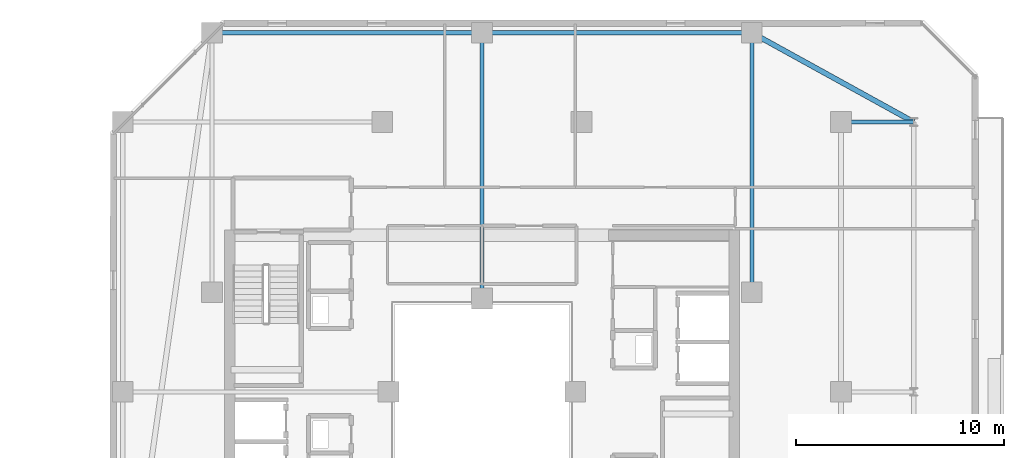
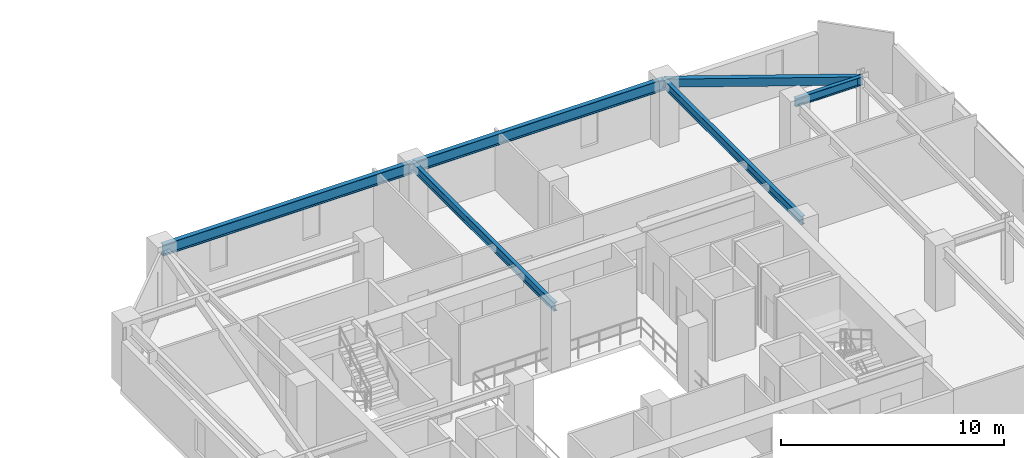
# One storey, part 15 of 32: 6 beams.
"""IFC4 building model written with IfcOpenShell, lengths in metres."""

import ifcopenshell
import ifcopenshell.guid

model = None  # the IFC model being written
_history = None  # IfcOwnerHistory: only IFC2X3 demands one
_inside = {}  # id of a spatial element -> (the spatial element, [elements in it])
_under = {}  # id of a project, library or spatial element -> (it, [spatial elements below it])
_declared = {}  # id of a project -> (the project, [libraries it declares])
_typed = {}  # id of a type object -> (the type object, [elements of that type])
_made_of = {}  # id of a material, layer set ... -> (it, [elements and type objects made of it])


def new_model(schema):
    """Start an empty IFC model of exactly this schema.

    Asked for "IFC4X3", IfcOpenShell would pick the latest addendum, in which some entities
    have other attributes; the version numbers below select the first issue.
    IFC2X3 requires an IfcOwnerHistory on every rooted entity: one is made here for all.
    """
    global model, _history
    if schema == "IFC4X3":
        model = ifcopenshell.file(schema_version=(4, 3, 0, 0))
    else:
        model = ifcopenshell.file(schema=schema)
    _inside.clear()
    _under.clear()
    _declared.clear()
    _typed.clear()
    _made_of.clear()
    _history = None
    if model.schema == "IFC2X3":
        org = make("IfcOrganization", Name="unknown")
        user = make(
            "IfcPersonAndOrganization",
            ThePerson=make("IfcPerson", FamilyName="unknown"),
            TheOrganization=org,
        )
        app = make(
            "IfcApplication",
            ApplicationDeveloper=org,
            Version="unknown",
            ApplicationFullName="unknown",
            ApplicationIdentifier="unknown",
        )
        _history = make(
            "IfcOwnerHistory",
            OwningUser=user,
            OwningApplication=app,
            ChangeAction="ADDED",
            CreationDate=0,
        )
    return model


def make(cls, **values):
    """One entity of the class cls with the attributes given. An attribute that is None is left unset."""
    return model.create_entity(
        cls, **{name: value for name, value in values.items() if value is not None}
    )


def rooted(cls, **values):
    """An entity with a GlobalId (a new one), such as an element, a storey or a relation."""
    return make(cls, GlobalId=ifcopenshell.guid.new(), OwnerHistory=_history, **values)


def si_unit(unit_type, name, prefix=None):
    """IfcSIUnit, for example si_unit("LENGTHUNIT", "METRE", prefix="MILLI")."""
    return make("IfcSIUnit", UnitType=unit_type, Prefix=prefix, Name=name)


def assignment(units):
    """IfcUnitAssignment: the units of a project."""
    return None if units is None else make("IfcUnitAssignment", Units=units)


def point(xyz):
    """IfcCartesianPoint."""
    return None if xyz is None else make("IfcCartesianPoint", Coordinates=xyz)


def direction(xyz):
    """IfcDirection."""
    return None if xyz is None else make("IfcDirection", DirectionRatios=xyz)


def frame(location, z_axis=None, x_axis=None):
    """IfcAxis2Placement3D, a coordinate frame: its origin and axes. An axis left out is left unset."""
    return make(
        "IfcAxis2Placement3D",
        Location=point(location),
        Axis=direction(z_axis),
        RefDirection=direction(x_axis),
    )


def frame_2d(location, x_axis=None):
    """IfcAxis2Placement2D, a coordinate frame in the plane: its origin and x axis."""
    return make(
        "IfcAxis2Placement2D", Location=point(location), RefDirection=direction(x_axis)
    )


def origin():
    """The frame at (0, 0, 0) with its axes left unset."""
    return frame((0.0, 0.0, 0.0))


def origin_2d():
    """The frame at (0, 0) in the plane with its x axis left unset."""
    return frame_2d((0.0, 0.0))


def place(relative_to, where):
    """IfcLocalPlacement: puts the frame where relative to a parent placement (None: the world)."""
    return make(
        "IfcLocalPlacement", PlacementRelTo=relative_to, RelativePlacement=where
    )


def context(
    kind, dimensions, precision=None, world=None, true_north=None, identifier=None
):
    """IfcGeometricRepresentationContext, for example the 3D "Model" context."""
    return make(
        "IfcGeometricRepresentationContext",
        ContextIdentifier=identifier,
        ContextType=kind,
        CoordinateSpaceDimension=dimensions,
        Precision=precision,
        WorldCoordinateSystem=world,
        TrueNorth=true_north,
    )


def subcontext(parent, identifier, kind, view, scale=None):
    """IfcGeometricRepresentationSubContext, for example "Body" below "Model"."""
    return make(
        "IfcGeometricRepresentationSubContext",
        ContextIdentifier=identifier,
        ContextType=kind,
        ParentContext=parent,
        TargetScale=scale,
        TargetView=view,
    )


def project(units=None, contexts=None):
    """IfcProject with its units and contexts."""
    return rooted(
        "IfcProject",
        Name="project",
        RepresentationContexts=contexts,
        UnitsInContext=assignment(units),
    )


def spatial(cls, under=None, at=None, **own):
    """A site, building, storey or space (cls), placed at a placement, below another one or the project."""
    s = rooted(cls, ObjectPlacement=at, **own)
    if under is not None:
        _under.setdefault(under.id(), (under, []))[1].append(s)
    return s


def profile(cls, at=None, kind="AREA", **sizes):
    """A parametric profile (cls). Its sizes go by their IFC names, for example OverallWidth=200.0."""
    return make(cls, ProfileType=kind, Position=at, **sizes)


def hollow_rectangle(**sizes):
    """IfcRectangleHollowProfileDef."""
    return profile("IfcRectangleHollowProfileDef", **sizes)


def i_section(**sizes):
    """IfcIShapeProfileDef."""
    return profile("IfcIShapeProfileDef", **sizes)


def extrude(swept, where, along, depth):
    """IfcExtrudedAreaSolid: the profile swept, set in the frame where, extruded along a direction by depth."""
    return make(
        "IfcExtrudedAreaSolid",
        SweptArea=swept,
        Position=where,
        ExtrudedDirection=direction(along),
        Depth=depth,
    )


def shape(context_of_items, identifier, shape_type, items):
    """IfcShapeRepresentation: the items that make up one representation, for example the "Body"."""
    return make(
        "IfcShapeRepresentation",
        ContextOfItems=context_of_items,
        RepresentationIdentifier=identifier,
        RepresentationType=shape_type,
        Items=items,
    )


def material(Name=None, Category=None):
    """IfcMaterial."""
    return make("IfcMaterial", Name=Name, Category=Category)


def material_profile(
    of_material, cross_section, Name=None, Category=None, Priority=None
):
    """IfcMaterialProfile: a cross section and its material."""
    return make(
        "IfcMaterialProfile",
        Name=Name,
        Material=of_material,
        Profile=cross_section,
        Priority=Priority,
        Category=Category,
    )


def profile_set(profiles, Name=None, composite=None):
    """IfcMaterialProfileSet."""
    return make(
        "IfcMaterialProfileSet",
        Name=Name,
        MaterialProfiles=profiles,
        CompositeProfile=composite,
    )


def made_of(thing, what):
    """Note that an element or type object is made of a material, layer set ...; save() writes the relation."""
    if what is not None:
        _made_of.setdefault(what.id(), (what, []))[1].append(thing)
    return thing


def type_object(cls, material=None, **own):
    """A type object (cls), such as IfcWallType, which elements share."""
    return made_of(rooted(cls, **own), material)


def element(
    cls,
    number,
    at=None,
    inside=None,
    cuts=None,
    type_object=None,
    material=None,
    context=None,
    identifier="Body",
    shape_type=None,
    held_by="IfcProductDefinitionShape",
    body=None,
    shapes=None,
    **own,
):
    """One element of the class cls, such as IfcWall. Its Tag is "e" and its number.

    at: its placement. inside: the storey or other place that contains it. cuts: it is an
    opening in that element (IfcRelVoidsElement). A single representation is given by context,
    identifier, shape_type and body (its items); several are given by shapes. held_by: the class
    of the entity that holds the representations. save() writes the other relations.
    """
    e = rooted(cls, Tag="e%d" % number, ObjectPlacement=at, **own)
    if body is not None:
        shapes = [shape(context, identifier, shape_type, body)]
    if shapes is not None:
        e.Representation = make(held_by, Representations=shapes)
    if inside is not None:
        _inside.setdefault(inside.id(), (inside, []))[1].append(e)
    if cuts is not None:
        rooted(
            "IfcRelVoidsElement", RelatingBuildingElement=cuts, RelatedOpeningElement=e
        )
    if type_object is not None:
        _typed.setdefault(type_object.id(), (type_object, []))[1].append(e)
    return made_of(e, material)


def aggregate(whole, parts):
    """IfcRelAggregates: a whole, such as a stair, and the parts it consists of."""
    return rooted("IfcRelAggregates", RelatingObject=whole, RelatedObjects=parts)


def save(model, path):
    """Write the relations noted so far, then the file.

    IfcRelAggregates (storeys below a building ...), IfcRelContainedInSpatialStructure (elements
    in a storey), IfcRelDefinesByType, IfcRelAssociatesMaterial and IfcRelDeclares: one each for
    every whole, place, type object, material and project.
    """
    for whole, parts in _under.values():
        aggregate(whole, parts)
    for where, things in _inside.values():
        rooted(
            "IfcRelContainedInSpatialStructure",
            RelatedElements=things,
            RelatingStructure=where,
        )
    for kind, things in _typed.values():
        rooted("IfcRelDefinesByType", RelatedObjects=things, RelatingType=kind)
    for what, things in _made_of.values():
        rooted("IfcRelAssociatesMaterial", RelatedObjects=things, RelatingMaterial=what)
    for by, libraries in _declared.values():
        rooted("IfcRelDeclares", RelatingContext=by, RelatedDefinitions=libraries)
    model.write(path)


model = new_model("IFC4")

# Units and contexts
model_context = context("Model", 3, precision=1e-05, world=origin(), true_north=direction((0.0, 1.0)))
body_context = subcontext(model_context, "Body", "Model", "MODEL_VIEW")
ifc_project = project(units=[si_unit("LENGTHUNIT", "METRE"), si_unit("AREAUNIT", "SQUARE_METRE"), si_unit("VOLUMEUNIT", "CUBIC_METRE"), si_unit("PLANEANGLEUNIT", "RADIAN"), si_unit("MASSUNIT", "GRAM", prefix="KILO")], contexts=[model_context])

# Site, building, storey
site_placement = place(None, origin())
site = spatial("IfcSite", under=ifc_project, at=site_placement, CompositionType="ELEMENT")
building_placement = place(site_placement, origin())
building = spatial("IfcBuilding", under=site, at=building_placement, Name="Thornwick Lancets Civic Towers", CompositionType="ELEMENT")
storey_placement = place(building_placement, frame((0.0, 0.0, 240.300048828125)))
storey = spatial("IfcBuildingStorey", under=building, at=storey_placement, Name="L64", CompositionType="ELEMENT", Elevation=240.300048828125)

# Beams
ifc_material = material(Name="Steel S355JR", Category="steel")
ifc_material_profile_1 = material_profile(ifc_material, i_section(OverallWidth=0.230224609375, OverallDepth=0.6171875, WebThickness=0.01318359375, FlangeThickness=0.022216796875, FilletRadius=0.0126953125, at=origin_2d()), Name="UKB 610x229x140")
ifc_profile_set_1 = profile_set([ifc_material_profile_1], Name="Steel S355JR")
beam_type_1 = type_object("IfcBeamType", Name="BM_GIRD_610_140", PredefinedType="BEAM", material=ifc_profile_set_1)
beam_1_placement = place(storey_placement, frame((101.5, 44.300048828125, 3.05126953125), z_axis=(-1.0, 0.0, 0.0), x_axis=(0.0, -1.0, 0.0)))
element("IfcBeam", 1, at=beam_1_placement, inside=storey, type_object=beam_type_1, Name="BM-SPINE-L64-B-3-4", PredefinedType="BEAM", context=body_context, shape_type="SweptSolid", body=[
    extrude(i_section(OverallWidth=0.230224609375, OverallDepth=0.6171875, WebThickness=0.01318359375, FlangeThickness=0.022216796875, FilletRadius=0.0126953125, at=origin_2d()), origin(), (0.0, 0.0, 1.0), 13.0),
])
beam_2_placement = place(storey_placement, frame((88.419921875, 44.300048828125, 3.05126953125), z_axis=(-1.0, 0.0, 0.0), x_axis=(0.0, -1.0, 0.0)))
element("IfcBeam", 2, at=beam_2_placement, inside=storey, type_object=beam_type_1, Name="BM-SPINE-L64-B-4-5", PredefinedType="BEAM", context=body_context, shape_type="SweptSolid", body=[
    extrude(i_section(OverallWidth=0.230224609375, OverallDepth=0.6171875, WebThickness=0.01318359375, FlangeThickness=0.022216796875, FilletRadius=0.0126953125, at=origin_2d()), origin(), (0.0, 0.0, 1.0), 12.919921875),
])
ifc_material_profile_2 = material_profile(ifc_material, i_section(OverallWidth=0.19287109375, OverallDepth=0.46728515625, WebThickness=0.011474609375, FlangeThickness=0.01953125, FilletRadius=0.01025390625, at=origin_2d()), Name="UKB 457x191x98")
ifc_profile_set_2 = profile_set([ifc_material_profile_2], Name="Steel S355JR")
beam_type_2 = type_object("IfcBeamType", Name="BM_JOIST_457_98", PredefinedType="JOIST", material=ifc_profile_set_2)
beam_3_placement = place(storey_placement, frame((105.800048828125, 40.0, 3.12646484375), z_axis=(1.0, 0.0, 0.0), x_axis=(0.0, 1.0, 0.0)))
element("IfcBeam", 3, at=beam_3_placement, inside=storey, type_object=beam_type_2, Name="BM-RAD-L64-B03", PredefinedType="JOIST", context=body_context, shape_type="SweptSolid", body=[
    extrude(i_section(OverallWidth=0.19287109375, OverallDepth=0.46728515625, WebThickness=0.011474609375, FlangeThickness=0.01953125, FilletRadius=0.01025390625, at=origin_2d()), origin(), (0.0, 0.0, 1.0), 3.5),
])
beam_4_placement = place(storey_placement, frame((101.5, 31.800048828125, 3.12646484375), z_axis=(0.0, 1.0, 0.0), x_axis=(-1.0, 0.0, 0.0)))
element("IfcBeam", 4, at=beam_4_placement, inside=storey, type_object=beam_type_2, Name="BM-RADIN-L64-B04", PredefinedType="JOIST", context=body_context, shape_type="SweptSolid", body=[
    extrude(i_section(OverallWidth=0.19287109375, OverallDepth=0.46728515625, WebThickness=0.011474609375, FlangeThickness=0.01953125, FilletRadius=0.01025390625, at=origin_2d()), origin(), (0.0, 0.0, 1.0), 12.5),
])
beam_5_placement = place(storey_placement, frame((88.5, 31.5, 3.12646484375), z_axis=(0.0, 1.0, 0.0), x_axis=(-1.0, 0.0, 0.0)))
element("IfcBeam", 5, at=beam_5_placement, inside=storey, type_object=beam_type_2, Name="BM-RADIN-L64-B05", PredefinedType="JOIST", context=body_context, shape_type="SweptSolid", body=[
    extrude(i_section(OverallWidth=0.19287109375, OverallDepth=0.46728515625, WebThickness=0.011474609375, FlangeThickness=0.01953125, FilletRadius=0.01025390625, at=origin_2d()), origin(), (0.0, 0.0, 1.0), 12.800048828125),
])
ifc_material_profile_3 = material_profile(ifc_material, hollow_rectangle(XDim=0.25, YDim=0.449951171875, WallThickness=0.01611328125, at=origin_2d()), Name="RHS 450x250x16")
ifc_profile_set_3 = profile_set([ifc_material_profile_3], Name="Steel S355JR")
beam_type_3 = type_object("IfcBeamType", Name="BM_RING_RHS450", PredefinedType="BEAM", material=ifc_profile_set_3)
beam_6_placement = place(storey_placement, frame((109.300048828125, 40.0, 3.135009765625), z_axis=(-0.875740348708, 0.482782395749, 0.0), x_axis=(-0.482782395749, -0.875740348708, 0.0)))
element("IfcBeam", 6, at=beam_6_placement, inside=storey, type_object=beam_type_3, Name="BM-CHAMF-L64-B-C0", PredefinedType="BEAM", context=body_context, shape_type="SweptSolid", body=[
    extrude(hollow_rectangle(XDim=0.25, YDim=0.449951171875, WallThickness=0.01611328125, at=origin_2d()), origin(), (0.0, 0.0, 1.0), 8.90673828125),
])

save(model, "model.ifc")
